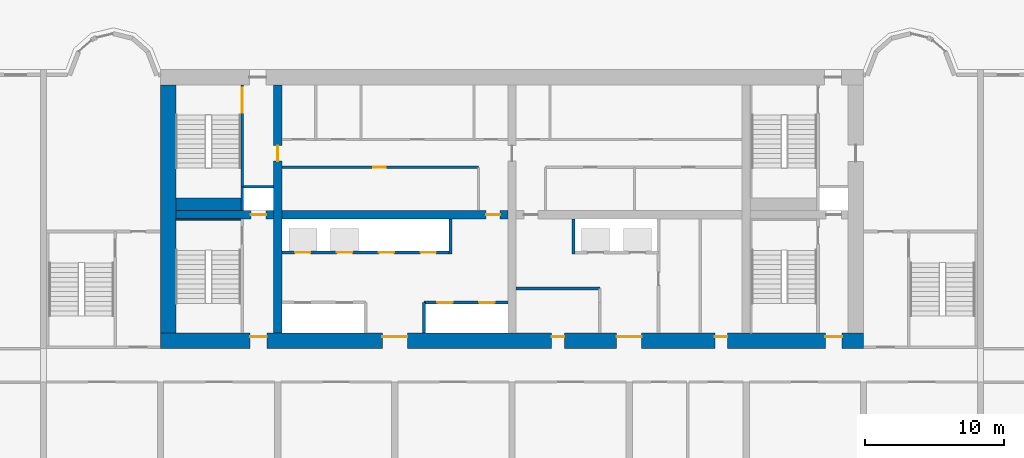
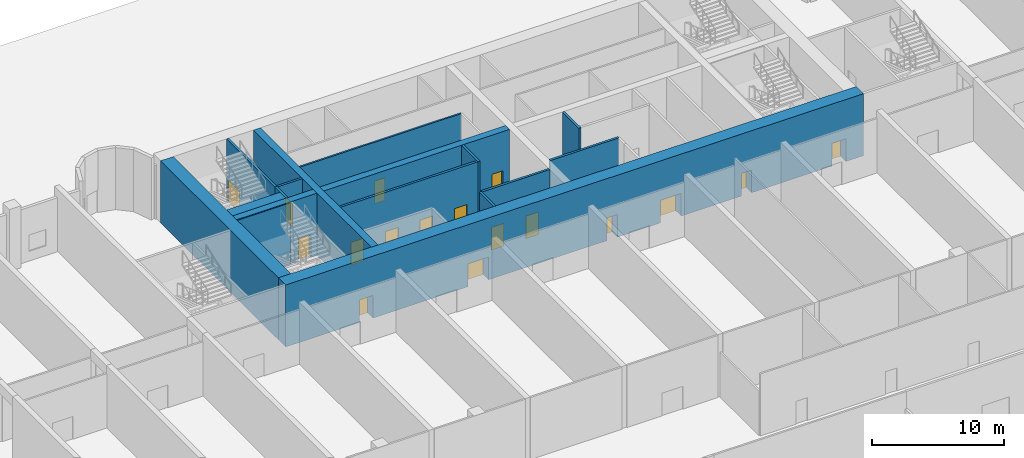
# One storey, part 12 of 20: 17 doors, 17 walls, 17 openings.
"""IFC4 building model written with IfcOpenShell, lengths in metres."""

from ifc_helpers import new_model, si_unit, direction, frame, frame_2d, origin, place, context, subcontext, project, spatial, rectangle, extrude, source, transform, mapped, material, layer, layer_set, type_object, element, fill, save


model = new_model("IFC4")

# Units and contexts
model_context = context("Model", 3, precision=1e-05, world=origin(), true_north=direction((0.0, 1.0)))
body_context = subcontext(model_context, "Body", "Model", "MODEL_VIEW")
ifc_project = project(units=[si_unit("LENGTHUNIT", "METRE"), si_unit("AREAUNIT", "SQUARE_METRE"), si_unit("VOLUMEUNIT", "CUBIC_METRE"), si_unit("PLANEANGLEUNIT", "RADIAN"), si_unit("MASSUNIT", "GRAM", prefix="KILO")], contexts=[model_context])

# Site, building, storey
site_placement = place(None, origin())
site = spatial("IfcSite", under=ifc_project, at=site_placement, CompositionType="ELEMENT")
building_placement = place(site_placement, origin())
building = spatial("IfcBuilding", under=site, at=building_placement, Name="Vanashikhar Sky Hotel", CompositionType="ELEMENT")
storey_placement = place(building_placement, origin())
storey = spatial("IfcBuildingStorey", under=building, at=storey_placement, Name="L00", CompositionType="ELEMENT", Elevation=0.0)

# Wall, openings, doors
ifc_material_1 = material(Name="Concrete M80", Category="concrete")
ifc_layer_1 = layer(ifc_material_1, 1.10009765625)
ifc_layer_set_1 = layer_set([ifc_layer_1], Name="RC core shell wall 1100 Concrete M80")
wall_type_1 = type_object("IfcWallType", Name="RC core shell wall 1100 Concrete M80", PredefinedType="SHEAR", material=ifc_layer_set_1)
shared_shape_1 = source(origin(), body_context, "Body", "SweptSolid", [
    extrude(rectangle(XDim=50.400146484375, YDim=1.10009765625, at=frame_2d((25.2001953125, 0.0))), origin(), (0.0, 0.0, 1.0), 5.719970703125),
])
wall_1_placement = place(storey_placement, frame((25.199951171875, 22.550048828125, 0.0), z_axis=(0.0, 0.0, 1.0), x_axis=(1.0, 0.0, 0.0)))
wall_1 = element("IfcWall", 1, at=wall_1_placement, inside=storey, type_object=wall_type_1, Name="KW-L00-KS", PredefinedType="SHEAR", context=body_context, shape_type="MappedRepresentation", body=[
    mapped(shared_shape_1, transform((0.0, 0.0, 0.0), scale=1.0)),
])
shared_shape_2 = source(origin(), body_context, "Body", "SweptSolid", [
    extrude(rectangle(XDim=1.800048828125, YDim=2.10009765625, at=frame_2d((0.89990234375, 1.050048828125))), frame((0.0, 0.56005859375, 0.0), z_axis=(0.0, -1.0, 0.0), x_axis=(1.0, 0.0, 0.0)), (0.0, 0.0, 1.0), 1.1201171875),
])
opening_1_placement = place(wall_1_placement, frame((15.89990234375, 0.0, 0.0)))
opening_1 = element("IfcOpeningElement", 2, at=opening_1_placement, cuts=wall_1, Name="Opening DC-3-A", PredefinedType="OPENING", context=body_context, shape_type="MappedRepresentation", body=[
    mapped(shared_shape_2, transform((0.0, 0.0, 0.0), scale=1.0)),
])
opening_2_placement = place(wall_1_placement, frame((32.699951171875, 0.0, 0.0)))
opening_2 = element("IfcOpeningElement", 3, at=opening_2_placement, cuts=wall_1, Name="Opening DC-3-A", PredefinedType="OPENING", context=body_context, shape_type="MappedRepresentation", body=[
    mapped(shared_shape_2, transform((0.0, 0.0, 0.0), scale=1.0)),
])
shared_shape_3 = source(origin(), body_context, "Body", "SweptSolid", [
    extrude(rectangle(XDim=0.89990234375, YDim=2.10009765625, at=frame_2d((0.449951171875, 1.050048828125))), frame((0.0, 0.56005859375, 0.0), z_axis=(0.0, -1.0, 0.0), x_axis=(1.0, 0.0, 0.0)), (0.0, 0.0, 1.0), 1.1201171875),
])
opening_3_placement = place(wall_1_placement, frame((39.75, 0.0, 0.0)))
opening_3 = element("IfcOpeningElement", 4, at=opening_3_placement, cuts=wall_1, Name="Opening DC-4-A", PredefinedType="OPENING", context=body_context, shape_type="MappedRepresentation", body=[
    mapped(shared_shape_3, transform((0.0, 0.0, 0.0), scale=1.0)),
])
opening_4_placement = place(wall_1_placement, frame((28.050048828125, 0.0, 0.0)))
opening_4 = element("IfcOpeningElement", 5, at=opening_4_placement, cuts=wall_1, Name="Opening DC-4-A", PredefinedType="OPENING", context=body_context, shape_type="MappedRepresentation", body=[
    mapped(shared_shape_3, transform((0.0, 0.0, 0.0), scale=1.0)),
])
shared_shape_4 = source(origin(), body_context, "Body", "SweptSolid", [
    extrude(rectangle(XDim=1.199951171875, YDim=2.10009765625, at=frame_2d((0.60009765625, 1.050048828125))), frame((0.0, 0.56005859375, 0.0), z_axis=(0.0, -1.0, 0.0), x_axis=(1.0, 0.0, 0.0)), (0.0, 0.0, 1.0), 1.1201171875),
])
opening_5_placement = place(wall_1_placement, frame((6.425048828125, 0.0, 0.0)))
opening_5 = element("IfcOpeningElement", 6, at=opening_5_placement, cuts=wall_1, Name="Opening DC-2", PredefinedType="OPENING", context=body_context, shape_type="MappedRepresentation", body=[
    mapped(shared_shape_4, transform((0.0, 0.0, 0.0), scale=1.0)),
])
opening_6_placement = place(wall_1_placement, frame((47.675048828125, 0.0, 0.0)))
opening_6 = element("IfcOpeningElement", 7, at=opening_6_placement, cuts=wall_1, Name="Opening DC-2", PredefinedType="OPENING", context=body_context, shape_type="MappedRepresentation", body=[
    mapped(shared_shape_4, transform((0.0, 0.0, 0.0), scale=1.0)),
])
ifc_material_2 = material(Name="Glass", Category="glass")
door_type_1 = type_object("IfcDoorType", Name="Lift lobby entrance door 1800 FD30S", OperationType="NOTDEFINED", PredefinedType="DOOR", material=ifc_material_2)
shared_shape_5 = source(origin(), body_context, "Body", "SweptSolid", [
    extrude(rectangle(XDim=1.800048828125, YDim=2.10009765625, at=frame_2d((0.89990234375, 1.050048828125))), frame((0.0, 0.3251953125, 0.0), z_axis=(0.0, -1.0, 0.0), x_axis=(1.0, 0.0, 0.0)), (0.0, 0.0, 1.0), 0.050048828125),
])
door_1_placement = place(opening_1_placement, origin())
door_1 = element("IfcDoor", 8, at=door_1_placement, inside=storey, type_object=door_type_1, Name="Lift lobby entrance door 1800 FD30S", OperationType="DOUBLE_DOOR_SINGLE_SWING", OverallHeight=2.10009765625, OverallWidth=1.800048828125, PredefinedType="DOOR", context=body_context, shape_type="MappedRepresentation", body=[
    mapped(shared_shape_5, transform((0.0, 0.0, 0.0), scale=1.0)),
])
fill(opening_1, door_1)
door_2_placement = place(opening_2_placement, origin())
door_2 = element("IfcDoor", 9, at=door_2_placement, inside=storey, type_object=door_type_1, Name="Lift lobby entrance door 1800 FD30S", OperationType="DOUBLE_DOOR_SINGLE_SWING", OverallHeight=2.10009765625, OverallWidth=1.800048828125, PredefinedType="DOOR", context=body_context, shape_type="MappedRepresentation", body=[
    mapped(shared_shape_5, transform((0.0, 0.0, 0.0), scale=1.0)),
])
fill(opening_2, door_2)
ifc_material_3 = material(Name="Steel", Category="steel")
door_type_2 = type_object("IfcDoorType", Name="Firefighting lobby door 1200 FD120", OperationType="NOTDEFINED", PredefinedType="DOOR", material=ifc_material_3)
shared_shape_6 = source(origin(), body_context, "Body", "SweptSolid", [
    extrude(rectangle(XDim=1.199951171875, YDim=2.10009765625, at=frame_2d((0.60009765625, 1.050048828125))), frame((0.0, 0.3251953125, 0.0), z_axis=(0.0, -1.0, 0.0), x_axis=(1.0, 0.0, 0.0)), (0.0, 0.0, 1.0), 0.050048828125),
])
door_3_placement = place(opening_5_placement, origin())
door_3 = element("IfcDoor", 10, at=door_3_placement, inside=storey, type_object=door_type_2, Name="Firefighting lobby door 1200 FD120", OperationType="SINGLE_SWING_RIGHT", OverallHeight=2.10009765625, OverallWidth=1.199951171875, PredefinedType="DOOR", context=body_context, shape_type="MappedRepresentation", body=[
    mapped(shared_shape_6, transform((0.0, 0.0, 0.0), scale=1.0)),
])
fill(opening_5, door_3)
door_4_placement = place(opening_6_placement, origin())
door_4 = element("IfcDoor", 11, at=door_4_placement, inside=storey, type_object=door_type_2, Name="Firefighting lobby door 1200 FD120", OperationType="SINGLE_SWING_RIGHT", OverallHeight=2.10009765625, OverallWidth=1.199951171875, PredefinedType="DOOR", context=body_context, shape_type="MappedRepresentation", body=[
    mapped(shared_shape_6, transform((0.0, 0.0, 0.0), scale=1.0)),
])
fill(opening_6, door_4)
door_type_3 = type_object("IfcDoorType", Name="Service door 900 FD60", OperationType="NOTDEFINED", PredefinedType="DOOR", material=ifc_material_3)
shared_shape_7 = source(origin(), body_context, "Body", "SweptSolid", [
    extrude(rectangle(XDim=0.89990234375, YDim=2.10009765625, at=frame_2d((0.449951171875, 1.050048828125))), frame((0.0, 0.3251953125, 0.0), z_axis=(0.0, -1.0, 0.0), x_axis=(1.0, 0.0, 0.0)), (0.0, 0.0, 1.0), 0.050048828125),
])
door_5_placement = place(opening_3_placement, origin())
door_5 = element("IfcDoor", 12, at=door_5_placement, inside=storey, type_object=door_type_3, Name="Service door 900 FD60", OperationType="SINGLE_SWING_RIGHT", OverallHeight=2.10009765625, OverallWidth=0.89990234375, PredefinedType="DOOR", context=body_context, shape_type="MappedRepresentation", body=[
    mapped(shared_shape_7, transform((0.0, 0.0, 0.0), scale=1.0)),
])
fill(opening_3, door_5)
door_6_placement = place(opening_4_placement, origin())
door_6 = element("IfcDoor", 13, at=door_6_placement, inside=storey, type_object=door_type_3, Name="Service door 900 FD60", OperationType="SINGLE_SWING_LEFT", OverallHeight=2.10009765625, OverallWidth=0.89990234375, PredefinedType="DOOR", context=body_context, shape_type="MappedRepresentation", body=[
    mapped(shared_shape_7, transform((0.0, 0.0, 0.0), scale=1.0)),
])
fill(opening_4, door_6)

# Wall
shared_shape_8 = source(origin(), body_context, "Body", "SweptSolid", [
    extrude(rectangle(XDim=17.7998046875, YDim=1.10009765625, at=frame_2d((8.89990234375, 0.0))), origin(), (0.0, 0.0, 1.0), 5.719970703125),
])
wall_2_placement = place(storey_placement, frame((25.75, 23.10009765625, 0.0), z_axis=(0.0, 0.0, 1.0), x_axis=(0.0, 1.0, 0.0)))
element("IfcWall", 14, at=wall_2_placement, inside=storey, type_object=wall_type_1, Name="KW-L00-KW", PredefinedType="SHEAR", context=body_context, shape_type="MappedRepresentation", body=[
    mapped(shared_shape_8, transform((0.0, 0.0, 0.0), scale=1.0)),
])

# Wall, opening, door
ifc_layer_2 = layer(ifc_material_1, 0.60009765625)
ifc_layer_set_2 = layer_set([ifc_layer_2], Name="RC core inner wall 600 Concrete M80")
wall_type_2 = type_object("IfcWallType", Name="RC core inner wall 600 Concrete M80", PredefinedType="SHEAR", material=ifc_layer_set_2)
shared_shape_9 = source(origin(), body_context, "Body", "SweptSolid", [
    extrude(rectangle(XDim=17.7998046875, YDim=0.60009765625, at=frame_2d((8.89990234375, 0.0))), origin(), (0.0, 0.0, 1.0), 5.719970703125),
])
wall_3_placement = place(storey_placement, frame((33.60009765625, 23.10009765625, 0.0), z_axis=(0.0, 0.0, 1.0), x_axis=(0.0, 1.0, 0.0)))
wall_3 = element("IfcWall", 15, at=wall_3_placement, inside=storey, type_object=wall_type_2, Name="KW-L00-KX1", PredefinedType="SHEAR", context=body_context, shape_type="MappedRepresentation", body=[
    mapped(shared_shape_9, transform((0.0, 0.0, 0.0), scale=1.0)),
])
shared_shape_10 = source(origin(), body_context, "Body", "SweptSolid", [
    extrude(rectangle(XDim=1.10009765625, YDim=2.10009765625, at=frame_2d((0.550048828125, 1.050048828125))), frame((0.0, 0.31005859375, 0.0), z_axis=(0.0, -1.0, 0.0), x_axis=(1.0, 0.0, 0.0)), (0.0, 0.0, 1.0), 0.6201171875),
])
opening_7_placement = place(wall_3_placement, frame((12.35009765625, 0.0, 0.0)))
opening_7 = element("IfcOpeningElement", 16, at=opening_7_placement, cuts=wall_3, Name="Opening DC-4-C", PredefinedType="OPENING", context=body_context, shape_type="MappedRepresentation", body=[
    mapped(shared_shape_10, transform((0.0, 0.0, 0.0), scale=1.0)),
])
door_type_4 = type_object("IfcDoorType", Name="Service door 1100 FD60", OperationType="NOTDEFINED", PredefinedType="DOOR", material=ifc_material_3)
shared_shape_11 = source(origin(), body_context, "Body", "SweptSolid", [
    extrude(rectangle(XDim=1.10009765625, YDim=2.10009765625, at=frame_2d((0.550048828125, 1.050048828125))), frame((0.0, 0.02490234375, 0.0), z_axis=(0.0, -1.0, 0.0), x_axis=(1.0, 0.0, 0.0)), (0.0, 0.0, 1.0), 0.050048828125),
])
door_7_placement = place(opening_7_placement, origin())
door_7 = element("IfcDoor", 17, at=door_7_placement, inside=storey, type_object=door_type_4, Name="Service door 1100 FD60", OperationType="SINGLE_SWING_RIGHT", OverallHeight=2.10009765625, OverallWidth=1.10009765625, PredefinedType="DOOR", context=body_context, shape_type="MappedRepresentation", body=[
    mapped(shared_shape_11, transform((0.0, 0.0, 0.0), scale=1.0)),
])
fill(opening_7, door_7)

shared_shape_12 = source(origin(), body_context, "Body", "SweptSolid", [
    extrude(rectangle(XDim=7.0, YDim=0.60009765625, at=frame_2d((3.5, 0.0))), origin(), (0.0, 0.0, 1.0), 5.719970703125),
])
wall_4_placement = place(storey_placement, frame((26.300048828125, 31.60009765625, 0.0), z_axis=(0.0, 0.0, 1.0), x_axis=(1.0, 0.0, 0.0)))
wall_4 = element("IfcWall", 18, at=wall_4_placement, inside=storey, type_object=wall_type_2, Name="KW-L00-KY1", PredefinedType="SHEAR", context=body_context, shape_type="MappedRepresentation", body=[
    mapped(shared_shape_12, transform((0.0, 0.0, 0.0), scale=1.0)),
])
opening_8_placement = place(wall_4_placement, frame((5.375, 0.0, 0.0)))
opening_8 = element("IfcOpeningElement", 19, at=opening_8_placement, cuts=wall_4, Name="Opening LD", PredefinedType="OPENING", context=body_context, shape_type="MappedRepresentation", body=[
    mapped(shared_shape_10, transform((0.0, 0.0, 0.0), scale=1.0)),
])
ifc_material_4 = material(Name="Stainless steel", Category="steel")
door_type_5 = type_object("IfcDoorType", Name="Lift landing door 1100", OperationType="NOTDEFINED", PredefinedType="DOOR", material=ifc_material_4)
door_8_placement = place(opening_8_placement, origin())
door_8 = element("IfcDoor", 20, at=door_8_placement, inside=storey, type_object=door_type_5, Name="Lift landing door 1100", OperationType="SLIDING_TO_LEFT", OverallHeight=2.10009765625, OverallWidth=1.10009765625, PredefinedType="DOOR", context=body_context, shape_type="MappedRepresentation", body=[
    mapped(shared_shape_11, transform((0.0, 0.0, 0.0), scale=1.0)),
])
fill(opening_8, door_8)

shared_shape_13 = source(origin(), body_context, "Body", "SweptSolid", [
    extrude(rectangle(XDim=16.2001953125, YDim=0.60009765625, at=frame_2d((8.10009765625, 0.0))), origin(), (0.0, 0.0, 1.0), 5.719970703125),
])
wall_5_placement = place(storey_placement, frame((33.89990234375, 31.60009765625, 0.0), z_axis=(0.0, 0.0, 1.0), x_axis=(1.0, 0.0, 0.0)))
wall_5 = element("IfcWall", 21, at=wall_5_placement, inside=storey, type_object=wall_type_2, Name="KW-L00-KY2", PredefinedType="SHEAR", context=body_context, shape_type="MappedRepresentation", body=[
    mapped(shared_shape_13, transform((0.0, 0.0, 0.0), scale=1.0)),
])
shared_shape_14 = source(origin(), body_context, "Body", "SweptSolid", [
    extrude(rectangle(XDim=1.0, YDim=2.10009765625, at=frame_2d((0.5, 1.050048828125))), frame((0.0, 0.31005859375, 0.0), z_axis=(0.0, -1.0, 0.0), x_axis=(1.0, 0.0, 0.0)), (0.0, 0.0, 1.0), 0.6201171875),
])
opening_9_placement = place(wall_5_placement, frame((14.64990234375, 0.0, 0.0)))
opening_9 = element("IfcOpeningElement", 22, at=opening_9_placement, cuts=wall_5, Name="Opening DC-4", PredefinedType="OPENING", context=body_context, shape_type="MappedRepresentation", body=[
    mapped(shared_shape_14, transform((0.0, 0.0, 0.0), scale=1.0)),
])
door_type_6 = type_object("IfcDoorType", Name="Service door 1000 FD60", OperationType="NOTDEFINED", PredefinedType="DOOR", material=ifc_material_3)
shared_shape_15 = source(origin(), body_context, "Body", "SweptSolid", [
    extrude(rectangle(XDim=1.0, YDim=2.10009765625, at=frame_2d((0.5, 1.050048828125))), frame((0.0, 0.02490234375, 0.0), z_axis=(0.0, -1.0, 0.0), x_axis=(1.0, 0.0, 0.0)), (0.0, 0.0, 1.0), 0.050048828125),
])
door_9_placement = place(opening_9_placement, origin())
door_9 = element("IfcDoor", 23, at=door_9_placement, inside=storey, type_object=door_type_6, Name="Service door 1000 FD60", OperationType="SINGLE_SWING_RIGHT", OverallHeight=2.10009765625, OverallWidth=1.0, PredefinedType="DOOR", context=body_context, shape_type="MappedRepresentation", body=[
    mapped(shared_shape_15, transform((0.0, 0.0, 0.0), scale=1.0)),
])
fill(opening_9, door_9)

# Wall, openings, doors
ifc_material_5 = material(Name="Concrete M40", Category="concrete")
ifc_layer_3 = layer(ifc_material_5, 0.199951171875)
ifc_layer_set_3 = layer_set([ifc_layer_3], Name="Shaft wall 200")
wall_type_3 = type_object("IfcWallType", Name="Shaft wall 200", PredefinedType="SOLIDWALL", material=ifc_layer_set_3)
shared_shape_16 = source(origin(), body_context, "Body", "SweptSolid", [
    extrude(rectangle(XDim=6.0, YDim=0.199951171875, at=frame_2d((3.0, 0.0))), origin(), (0.0, 0.0, 1.0), 5.719970703125),
])
wall_6_placement = place(storey_placement, frame((44.10009765625, 25.300048828125, 0.0), z_axis=(0.0, 0.0, 1.0), x_axis=(1.0, 0.0, 0.0)))
wall_6 = element("IfcWall", 24, at=wall_6_placement, inside=storey, type_object=wall_type_3, Name="Shaft wall 200", PredefinedType="SOLIDWALL", context=body_context, shape_type="MappedRepresentation", body=[
    mapped(shared_shape_16, transform((0.0, 0.0, 0.0), scale=1.0)),
])
shared_shape_17 = source(origin(), body_context, "Body", "SweptSolid", [
    extrude(rectangle(XDim=1.10009765625, YDim=2.10009765625, at=frame_2d((0.550048828125, 1.050048828125))), frame((0.0, 0.10986328125, 0.0), z_axis=(0.0, -1.0, 0.0), x_axis=(1.0, 0.0, 0.0)), (0.0, 0.0, 1.0), 0.219970703125),
])
opening_10_placement = place(wall_6_placement, frame((0.949951171875, 0.0, 0.0)))
opening_10 = element("IfcOpeningElement", 25, at=opening_10_placement, cuts=wall_6, Name="Opening LD", PredefinedType="OPENING", context=body_context, shape_type="MappedRepresentation", body=[
    mapped(shared_shape_17, transform((0.0, 0.0, 0.0), scale=1.0)),
])
opening_11_placement = place(wall_6_placement, frame((3.949951171875, 0.0, 0.0)))
opening_11 = element("IfcOpeningElement", 26, at=opening_11_placement, cuts=wall_6, Name="Opening LD", PredefinedType="OPENING", context=body_context, shape_type="MappedRepresentation", body=[
    mapped(shared_shape_17, transform((0.0, 0.0, 0.0), scale=1.0)),
])
door_10_placement = place(opening_10_placement, origin())
door_10 = element("IfcDoor", 27, at=door_10_placement, inside=storey, type_object=door_type_5, Name="Lift landing door 1100", OperationType="SLIDING_TO_LEFT", OverallHeight=2.10009765625, OverallWidth=1.10009765625, PredefinedType="DOOR", context=body_context, shape_type="MappedRepresentation", body=[
    mapped(shared_shape_11, transform((0.0, 0.0, 0.0), scale=1.0)),
])
fill(opening_10, door_10)
door_11_placement = place(opening_11_placement, origin())
door_11 = element("IfcDoor", 28, at=door_11_placement, inside=storey, type_object=door_type_5, Name="Lift landing door 1100", OperationType="SLIDING_TO_RIGHT", OverallHeight=2.10009765625, OverallWidth=1.10009765625, PredefinedType="DOOR", context=body_context, shape_type="MappedRepresentation", body=[
    mapped(shared_shape_11, transform((0.0, 0.0, 0.0), scale=1.0)),
])
fill(opening_11, door_11)

# Wall
ifc_material_6 = material(Name="Gypsum board partition")
ifc_layer_4 = layer(ifc_material_6, 0.14990234375)
ifc_layer_set_4 = layer_set([ifc_layer_4], Name="Service partition 150")
wall_type_4 = type_object("IfcWallType", Name="Service partition 150", PredefinedType="PARTITIONING", material=ifc_layer_set_4)
wall_7_placement = place(storey_placement, frame((56.699951171875, 26.300048828125, 0.0), z_axis=(0.0, 0.0, 1.0), x_axis=(-1.0, 0.0, 0.0)))
element("IfcWall", 29, at=wall_7_placement, inside=storey, type_object=wall_type_4, Name="Service partition 150", PredefinedType="PARTITIONING", context=body_context, shape_type="MappedRepresentation", body=[
    mapped(shared_shape_16, transform((0.0, 0.0, 0.0), scale=1.0)),
])

# Wall, openings, doors
shared_shape_18 = source(origin(), body_context, "Body", "SweptSolid", [
    extrude(rectangle(XDim=12.0, YDim=0.199951171875, at=frame_2d((6.0, 0.0))), origin(), (0.0, 0.0, 1.0), 5.719970703125),
])
wall_8_placement = place(storey_placement, frame((33.89990234375, 28.89990234375, 0.0), z_axis=(0.0, 0.0, 1.0), x_axis=(1.0, 0.0, 0.0)))
wall_8 = element("IfcWall", 30, at=wall_8_placement, inside=storey, type_object=wall_type_3, Name="Shaft wall 200", PredefinedType="SOLIDWALL", context=body_context, shape_type="MappedRepresentation", body=[
    mapped(shared_shape_18, transform((0.0, 0.0, 0.0), scale=1.0)),
])
opening_12_placement = place(wall_8_placement, frame((0.949951171875, 0.0, 0.0)))
opening_12 = element("IfcOpeningElement", 31, at=opening_12_placement, cuts=wall_8, Name="Opening LD", PredefinedType="OPENING", context=body_context, shape_type="MappedRepresentation", body=[
    mapped(shared_shape_17, transform((0.0, 0.0, 0.0), scale=1.0)),
])
opening_13_placement = place(wall_8_placement, frame((3.949951171875, 0.0, 0.0)))
opening_13 = element("IfcOpeningElement", 32, at=opening_13_placement, cuts=wall_8, Name="Opening LD", PredefinedType="OPENING", context=body_context, shape_type="MappedRepresentation", body=[
    mapped(shared_shape_17, transform((0.0, 0.0, 0.0), scale=1.0)),
])
opening_14_placement = place(wall_8_placement, frame((6.949951171875, 0.0, 0.0)))
opening_14 = element("IfcOpeningElement", 33, at=opening_14_placement, cuts=wall_8, Name="Opening LD", PredefinedType="OPENING", context=body_context, shape_type="MappedRepresentation", body=[
    mapped(shared_shape_17, transform((0.0, 0.0, 0.0), scale=1.0)),
])
opening_15_placement = place(wall_8_placement, frame((9.949951171875, 0.0, 0.0)))
opening_15 = element("IfcOpeningElement", 34, at=opening_15_placement, cuts=wall_8, Name="Opening LD", PredefinedType="OPENING", context=body_context, shape_type="MappedRepresentation", body=[
    mapped(shared_shape_17, transform((0.0, 0.0, 0.0), scale=1.0)),
])
door_12_placement = place(opening_12_placement, origin())
door_12 = element("IfcDoor", 35, at=door_12_placement, inside=storey, type_object=door_type_5, Name="Lift landing door 1100", OperationType="SLIDING_TO_LEFT", OverallHeight=2.10009765625, OverallWidth=1.10009765625, PredefinedType="DOOR", context=body_context, shape_type="MappedRepresentation", body=[
    mapped(shared_shape_11, transform((0.0, 0.0, 0.0), scale=1.0)),
])
fill(opening_12, door_12)
door_13_placement = place(opening_13_placement, origin())
door_13 = element("IfcDoor", 36, at=door_13_placement, inside=storey, type_object=door_type_5, Name="Lift landing door 1100", OperationType="SLIDING_TO_RIGHT", OverallHeight=2.10009765625, OverallWidth=1.10009765625, PredefinedType="DOOR", context=body_context, shape_type="MappedRepresentation", body=[
    mapped(shared_shape_11, transform((0.0, 0.0, 0.0), scale=1.0)),
])
fill(opening_13, door_13)
door_14_placement = place(opening_14_placement, origin())
door_14 = element("IfcDoor", 37, at=door_14_placement, inside=storey, type_object=door_type_5, Name="Lift landing door 1100", OperationType="SLIDING_TO_LEFT", OverallHeight=2.10009765625, OverallWidth=1.10009765625, PredefinedType="DOOR", context=body_context, shape_type="MappedRepresentation", body=[
    mapped(shared_shape_11, transform((0.0, 0.0, 0.0), scale=1.0)),
])
fill(opening_14, door_14)
door_15_placement = place(opening_15_placement, origin())
door_15 = element("IfcDoor", 38, at=door_15_placement, inside=storey, type_object=door_type_5, Name="Lift landing door 1100", OperationType="SLIDING_TO_RIGHT", OverallHeight=2.10009765625, OverallWidth=1.10009765625, PredefinedType="DOOR", context=body_context, shape_type="MappedRepresentation", body=[
    mapped(shared_shape_11, transform((0.0, 0.0, 0.0), scale=1.0)),
])
fill(opening_15, door_15)

# Walls
shared_shape_19 = source(origin(), body_context, "Body", "SweptSolid", [
    extrude(rectangle(XDim=2.199951171875, YDim=0.199951171875, at=frame_2d((1.10009765625, 0.0))), origin(), (0.0, 0.0, 1.0), 5.719970703125),
])
wall_9_placement = place(storey_placement, frame((44.10009765625, 23.10009765625, 0.0), z_axis=(0.0, 0.0, 1.0), x_axis=(0.0, 1.0, 0.0)))
element("IfcWall", 39, at=wall_9_placement, inside=storey, type_object=wall_type_3, Name="Shaft wall 200", PredefinedType="SOLIDWALL", context=body_context, shape_type="MappedRepresentation", body=[
    mapped(shared_shape_19, transform((0.0, 0.0, 0.0), scale=1.0)),
])
shared_shape_20 = source(origin(), body_context, "Body", "SweptSolid", [
    extrude(rectangle(XDim=2.5, YDim=0.199951171875, at=frame_2d((1.25, 0.0))), origin(), (0.0, 0.0, 1.0), 5.719970703125),
])
for number, where, z_axis, x_axis, name in (
    (40, (46.0, 28.800048828125, 0.0), (0.0, 0.0, 1.0), (0.0, 1.0, 0.0), "Shaft wall 200"),
    (41, (54.800048828125, 28.800048828125, 0.0), (0.0, 0.0, 1.0), (0.0, 1.0, 0.0), "Shaft wall 200"),
):
    element("IfcWall", number, at=place(storey_placement, frame(where, z_axis=z_axis, x_axis=x_axis)), inside=storey, type_object=wall_type_3, Name=name, PredefinedType="SOLIDWALL", context=body_context, shape_type="MappedRepresentation", body=[
        mapped(shared_shape_20, transform((0.0, 0.0, 0.0), scale=1.0)),
    ])

# Wall, opening, door
shared_shape_21 = source(origin(), body_context, "Body", "SweptSolid", [
    extrude(rectangle(XDim=14.10009765625, YDim=0.14990234375, at=frame_2d((7.050048828125, 0.0))), origin(), (0.0, 0.0, 1.0), 5.719970703125),
])
wall_10_placement = place(storey_placement, frame((33.89990234375, 35.0, 0.0), z_axis=(0.0, 0.0, 1.0), x_axis=(1.0, 0.0, 0.0)))
wall_10 = element("IfcWall", 42, at=wall_10_placement, inside=storey, type_object=wall_type_4, Name="Service partition 150", PredefinedType="PARTITIONING", context=body_context, shape_type="MappedRepresentation", body=[
    mapped(shared_shape_21, transform((0.0, 0.0, 0.0), scale=1.0)),
])
shared_shape_22 = source(origin(), body_context, "Body", "SweptSolid", [
    extrude(rectangle(XDim=0.89990234375, YDim=2.10009765625, at=frame_2d((0.449951171875, 1.050048828125))), frame((0.0, 0.0849609375, 0.0), z_axis=(0.0, -1.0, 0.0), x_axis=(1.0, 0.0, 0.0)), (0.0, 0.0, 1.0), 0.169921875),
])
opening_16_placement = place(wall_10_placement, frame((6.56201171875, 0.0, 0.0)))
opening_16 = element("IfcOpeningElement", 43, at=opening_16_placement, cuts=wall_10, Name="Opening DC-4-A", PredefinedType="OPENING", context=body_context, shape_type="MappedRepresentation", body=[
    mapped(shared_shape_22, transform((0.0, 0.0, 0.0), scale=1.0)),
])
shared_shape_23 = source(origin(), body_context, "Body", "SweptSolid", [
    extrude(rectangle(XDim=0.89990234375, YDim=2.10009765625, at=frame_2d((0.449951171875, 1.050048828125))), frame((0.0, 0.02490234375, 0.0), z_axis=(0.0, -1.0, 0.0), x_axis=(1.0, 0.0, 0.0)), (0.0, 0.0, 1.0), 0.050048828125),
])
door_16_placement = place(opening_16_placement, origin())
door_16 = element("IfcDoor", 44, at=door_16_placement, inside=storey, type_object=door_type_3, Name="Service door 900 FD60", OperationType="SINGLE_SWING_RIGHT", OverallHeight=2.10009765625, OverallWidth=0.89990234375, PredefinedType="DOOR", context=body_context, shape_type="MappedRepresentation", body=[
    mapped(shared_shape_23, transform((0.0, 0.0, 0.0), scale=1.0)),
])
fill(opening_16, door_16)

# Walls
shared_shape_24 = source(origin(), body_context, "Body", "SweptSolid", [
    extrude(rectangle(XDim=1.7001953125, YDim=0.199951171875, at=frame_2d((0.85009765625, 0.0))), origin(), (0.0, 0.0, 1.0), 5.719970703125),
])
wall_11_placement = place(storey_placement, frame((31.050048828125, 31.89990234375, 0.0), z_axis=(0.0, 0.0, 1.0), x_axis=(0.0, 1.0, 0.0)))
element("IfcWall", 45, at=wall_11_placement, inside=storey, type_object=wall_type_3, Name="Shaft wall 200", PredefinedType="SOLIDWALL", context=body_context, shape_type="MappedRepresentation", body=[
    mapped(shared_shape_24, transform((0.0, 0.0, 0.0), scale=1.0)),
])
shared_shape_25 = source(origin(), body_context, "Body", "SweptSolid", [
    extrude(rectangle(XDim=2.150146484375, YDim=0.199951171875, at=frame_2d((1.0751953125, 0.0))), origin(), (0.0, 0.0, 1.0), 5.719970703125),
])
wall_12_placement = place(storey_placement, frame((31.14990234375, 33.60009765625, 0.0), z_axis=(0.0, 0.0, 1.0), x_axis=(1.0, 0.0, 0.0)))
element("IfcWall", 46, at=wall_12_placement, inside=storey, type_object=wall_type_3, Name="Shaft wall 200", PredefinedType="SOLIDWALL", context=body_context, shape_type="MappedRepresentation", body=[
    mapped(shared_shape_25, transform((0.0, 0.0, 0.0), scale=1.0)),
])

# Wall, opening, door
ifc_material_7 = material(Name="Concrete M50", Category="concrete")
ifc_layer_5 = layer(ifc_material_7, 0.199951171875)
ifc_layer_set_5 = layer_set([ifc_layer_5], Name="Stair wall 200")
wall_type_5 = type_object("IfcWallType", Name="Stair wall 200", PredefinedType="SOLIDWALL", material=ifc_layer_set_5)
shared_shape_26 = source(origin(), body_context, "Body", "SweptSolid", [
    extrude(rectangle(XDim=7.2998046875, YDim=0.199951171875, at=frame_2d((3.64990234375, 0.0))), origin(), (0.0, 0.0, 1.0), 5.719970703125),
])
wall_13_placement = place(storey_placement, frame((31.050048828125, 33.60009765625, 0.0), z_axis=(0.0, 0.0, 1.0), x_axis=(0.0, 1.0, 0.0)))
wall_13 = element("IfcWall", 47, at=wall_13_placement, inside=storey, type_object=wall_type_5, Name="Stair wall 200", PredefinedType="SOLIDWALL", context=body_context, shape_type="MappedRepresentation", body=[
    mapped(shared_shape_26, transform((0.0, 0.0, 0.0), scale=1.0)),
])
shared_shape_27 = source(origin(), body_context, "Body", "SweptSolid", [
    extrude(rectangle(XDim=1.800048828125, YDim=2.10009765625, at=frame_2d((0.89990234375, 1.050048828125))), frame((0.0, 0.10986328125, 0.0), z_axis=(0.0, -1.0, 0.0), x_axis=(1.0, 0.0, 0.0)), (0.0, 0.0, 1.0), 0.219970703125),
])
opening_17_placement = place(wall_13_placement, frame((5.300048828125, 0.0, 0.0)))
opening_17 = element("IfcOpeningElement", 48, at=opening_17_placement, cuts=wall_13, Name="Opening DC-1-A", PredefinedType="OPENING", context=body_context, shape_type="MappedRepresentation", body=[
    mapped(shared_shape_27, transform((0.0, 0.0, 0.0), scale=1.0)),
])
door_type_7 = type_object("IfcDoorType", Name="Stair door 1800 FD120", OperationType="NOTDEFINED", PredefinedType="DOOR", material=ifc_material_3)
shared_shape_28 = source(origin(), body_context, "Body", "SweptSolid", [
    extrude(rectangle(XDim=1.800048828125, YDim=2.10009765625, at=frame_2d((0.89990234375, 1.050048828125))), frame((0.0, 0.02490234375, 0.0), z_axis=(0.0, -1.0, 0.0), x_axis=(1.0, 0.0, 0.0)), (0.0, 0.0, 1.0), 0.050048828125),
])
door_17_placement = place(opening_17_placement, origin())
door_17 = element("IfcDoor", 49, at=door_17_placement, inside=storey, type_object=door_type_7, Name="Stair door 1800 FD120", OperationType="SINGLE_SWING_RIGHT", OverallHeight=2.10009765625, OverallWidth=1.800048828125, PredefinedType="DOOR", context=body_context, shape_type="MappedRepresentation", body=[
    mapped(shared_shape_28, transform((0.0, 0.0, 0.0), scale=1.0)),
])
fill(opening_17, door_17)

# Walls
ifc_layer_6 = layer(ifc_material_7, 0.10009765625)
ifc_layer_set_6 = layer_set([ifc_layer_6], Name="Stair infill wall 100")
wall_type_6 = type_object("IfcWallType", Name="Stair infill wall 100", PredefinedType="SOLIDWALL", material=ifc_layer_set_6)
shared_shape_29 = source(origin(), body_context, "Body", "SweptSolid", [
    extrude(rectangle(XDim=4.64990234375, YDim=0.10009765625, at=frame_2d((2.324951171875, 0.0))), origin(), (0.0, 0.0, 1.0), 5.719970703125),
])
wall_14_placement = place(storey_placement, frame((26.300048828125, 31.25, 0.0), z_axis=(0.0, 0.0, 1.0), x_axis=(1.0, 0.0, 0.0)))
element("IfcWall", 50, at=wall_14_placement, inside=storey, type_object=wall_type_6, Name="Stair infill wall 100", PredefinedType="SOLIDWALL", context=body_context, shape_type="MappedRepresentation", body=[
    mapped(shared_shape_29, transform((0.0, 0.0, 0.0), scale=1.0)),
])
ifc_layer_7 = layer(ifc_material_7, 0.89990234375)
ifc_layer_set_7 = layer_set([ifc_layer_7], Name="Stair infill wall 900")
wall_type_7 = type_object("IfcWallType", Name="Stair infill wall 900", PredefinedType="SOLIDWALL", material=ifc_layer_set_7)
shared_shape_30 = source(origin(), body_context, "Body", "SweptSolid", [
    extrude(rectangle(XDim=4.64990234375, YDim=0.89990234375, at=frame_2d((2.324951171875, 0.0))), origin(), (0.0, 0.0, 1.0), 5.719970703125),
])
wall_15_placement = place(storey_placement, frame((26.300048828125, 32.35009765625, 0.0), z_axis=(0.0, 0.0, 1.0), x_axis=(1.0, 0.0, 0.0)))
element("IfcWall", 51, at=wall_15_placement, inside=storey, type_object=wall_type_7, Name="Stair infill wall 900", PredefinedType="SOLIDWALL", context=body_context, shape_type="MappedRepresentation", body=[
    mapped(shared_shape_30, transform((0.0, 0.0, 0.0), scale=1.0)),
])

save(model, "model.ifc")
